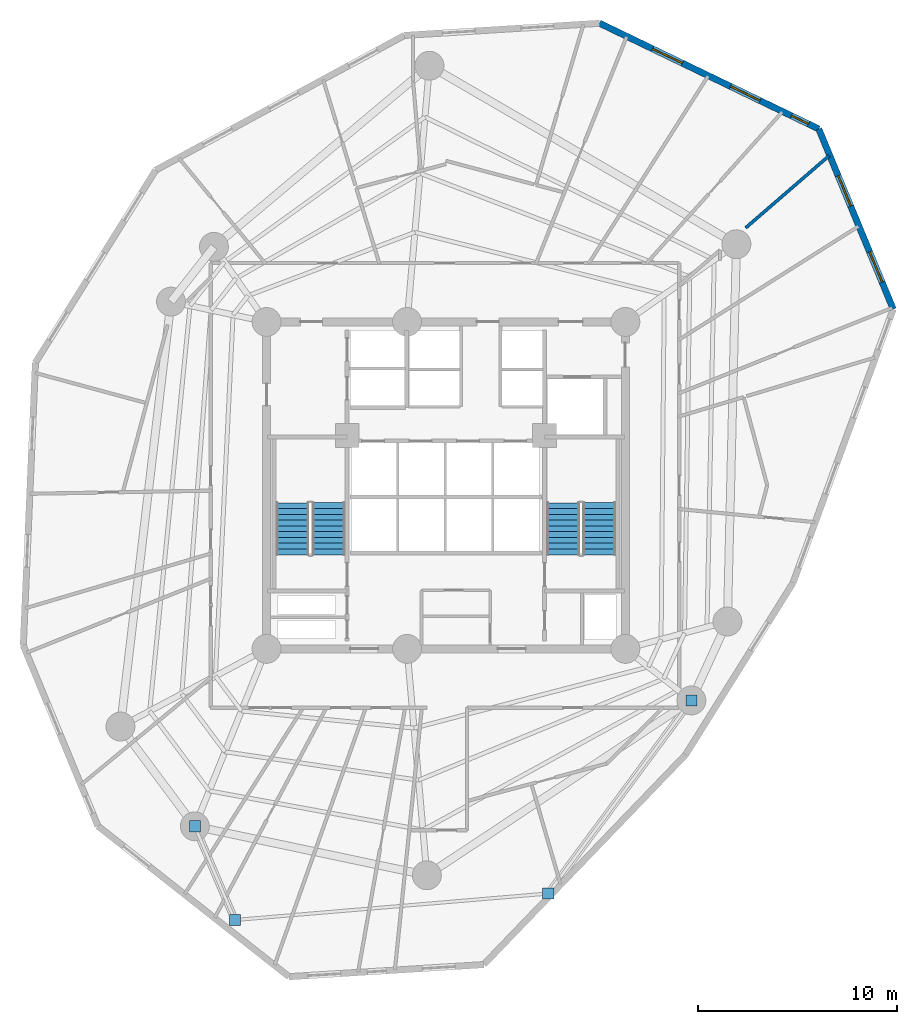
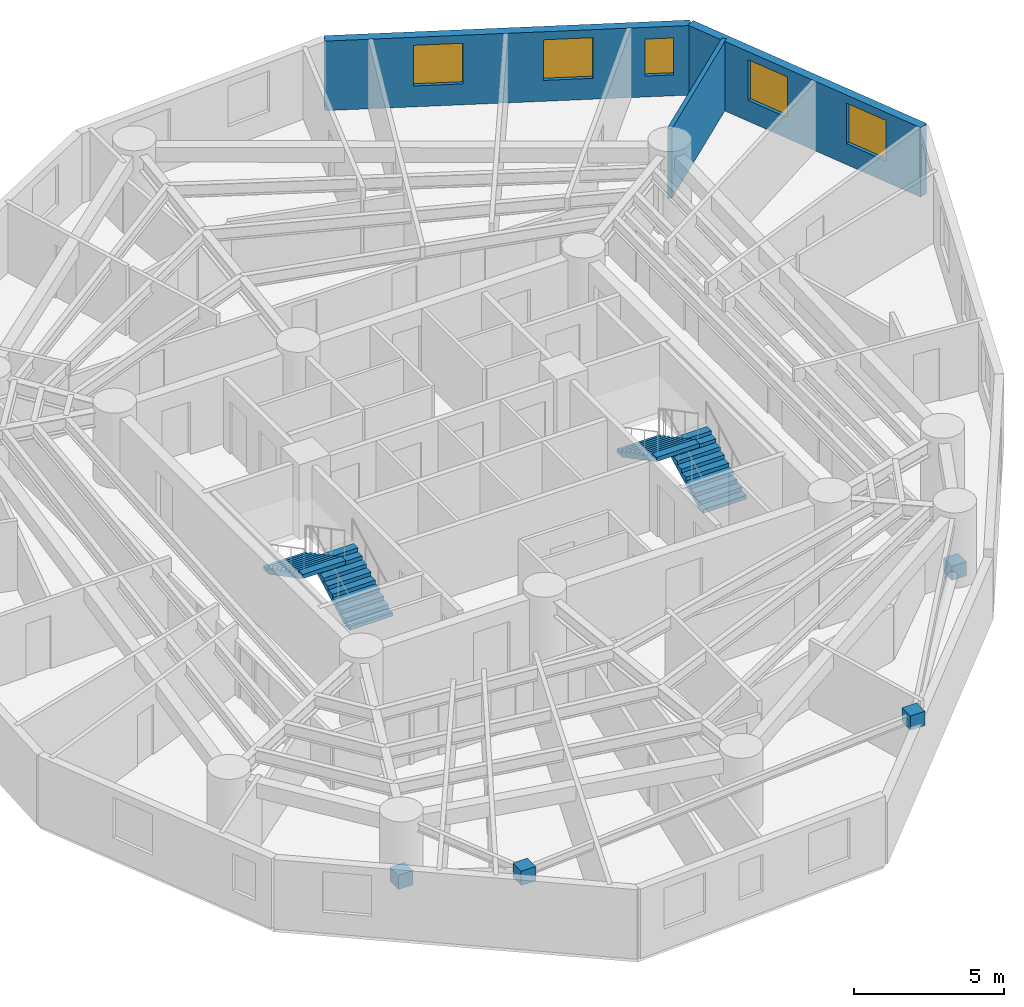
# One storey, part 7 of 8: 5 windows, 4 discrete accessories, 4 stair flights, 3 walls, 5 openings, 2 elements without a shape of their own.
"""IFC4 building model written with IfcOpenShell, lengths in metres."""

from ifc_helpers import new_model, si_unit, direction, frame, frame_2d, origin, origin_with_axes, origin_2d, place, context, subcontext, project, spatial, polyline, rectangle, outline, extrude, source, transform, mapped, material, layer, layer_set, type_object, element, fill, aggregate, save


model = new_model("IFC4")

# Units and contexts
model_context = context("Model", 3, precision=1e-05, world=origin(), true_north=direction((0.0, 1.0)))
body_context = subcontext(model_context, "Body", "Model", "MODEL_VIEW")
ifc_project = project(units=[si_unit("LENGTHUNIT", "METRE"), si_unit("AREAUNIT", "SQUARE_METRE"), si_unit("VOLUMEUNIT", "CUBIC_METRE"), si_unit("PLANEANGLEUNIT", "RADIAN"), si_unit("MASSUNIT", "GRAM", prefix="KILO")], contexts=[model_context])

# Site, building, storey
site_placement = place(None, origin())
site = spatial("IfcSite", under=ifc_project, at=site_placement, CompositionType="ELEMENT")
building_placement = place(site_placement, origin())
building = spatial("IfcBuilding", under=site, at=building_placement, Name="Karkom Vertical University and Central Library", CompositionType="ELEMENT")
storey_placement = place(building_placement, frame((0.0, 0.0, 108.39990234375)))
storey = spatial("IfcBuildingStorey", under=building, at=storey_placement, Name="L29", CompositionType="ELEMENT", Elevation=108.39990234375)

# Wall, openings, windows
ifc_material_1 = material(Name="Brick-faced precast concrete C45/55", Category="masonry")
ifc_layer_1 = layer(ifc_material_1, 0.320068359375)
ifc_layer_set_1 = layer_set([ifc_layer_1], Name="Brick-faced precast concrete C45/55")
wall_type_1 = type_object("IfcWallType", Name="ENV-WL-BRK-320", PredefinedType="SOLIDWALL", material=ifc_layer_set_1)
wall_1_placement = place(storey_placement, frame((50.939697265625, 35.337158203125, 0.0), z_axis=(0.0, 0.0, 1.0), x_axis=(-0.381729576022, 0.924274056106, 0.0)))
wall_1 = element("IfcWall", 1, at=wall_1_placement, inside=storey, type_object=wall_type_1, Name="Level 29 Brick-Faced Precast Facade Wall 09", PredefinedType="SOLIDWALL", context=body_context, shape_type="SweptSolid", body=[
    extrude(rectangle(XDim=9.785888671875, YDim=0.320068359375, at=frame_2d((4.89306640625, 0.0))), origin(), (0.0, 0.0, 1.0), 2.8251953125),
])
opening_1_placement = place(wall_1_placement, frame((1.46728515625, 0.0, 0.85009765625)))
opening_1 = element("IfcOpeningElement", 2, at=opening_1_placement, cuts=wall_1, Name="Opening WN-06", PredefinedType="OPENING", context=body_context, shape_type="SweptSolid", body=[
    extrude(rectangle(XDim=1.64990234375, YDim=1.64990234375, at=frame_2d((0.824951171875, 0.824951171875))), frame((0.0, 0.169921875, 0.0), z_axis=(0.0, -1.0, 0.0), x_axis=(1.0, 0.0, 0.0)), (0.0, 0.0, 1.0), 0.340087890625),
])
opening_2_placement = place(wall_1_placement, frame((5.5947265625, 0.0, 0.85009765625)))
opening_2 = element("IfcOpeningElement", 3, at=opening_2_placement, cuts=wall_1, Name="Opening WN-06", PredefinedType="OPENING", context=body_context, shape_type="SweptSolid", body=[
    extrude(rectangle(XDim=1.64990234375, YDim=1.64990234375, at=frame_2d((0.824951171875, 0.824951171875))), frame((0.0, 0.169921875, 0.0), z_axis=(0.0, -1.0, 0.0), x_axis=(1.0, 0.0, 0.0)), (0.0, 0.0, 1.0), 0.340087890625),
])
ifc_material_2 = material(Name="Aluminium thermal-break frame with solar-control IGU", Category="aluminium")
window_type_1 = type_object("IfcWindowType", Name="ENV-WIN-WN-06", PartitioningType="SINGLE_PANEL", PredefinedType="WINDOW", material=ifc_material_2)
shared_shape_1 = source(origin_with_axes(), body_context, "Body", "SweptSolid", [
    extrude(rectangle(XDim=1.64990234375, YDim=1.64990234375, at=frame_2d((0.824951171875, 0.824951171875))), frame((0.0, 0.030029296875, 0.0), z_axis=(0.0, -1.0, 0.0), x_axis=(1.0, 0.0, 0.0)), (0.0, 0.0, 1.0), 0.06005859375),
])
window_1_placement = place(opening_1_placement, origin())
window_1 = element("IfcWindow", 4, at=window_1_placement, inside=storey, type_object=window_type_1, Name="Level 29 Punched Window 9.1", OverallHeight=1.64990234375, OverallWidth=1.64990234375, PartitioningType="SINGLE_PANEL", PredefinedType="WINDOW", context=body_context, shape_type="MappedRepresentation", body=[
    mapped(shared_shape_1, transform((0.0, 0.0, 0.0), scale=1.0)),
])
fill(opening_1, window_1)
window_2_placement = place(opening_2_placement, origin())
window_2 = element("IfcWindow", 5, at=window_2_placement, inside=storey, type_object=window_type_1, Name="Level 29 Punched Window 9.2", OverallHeight=1.64990234375, OverallWidth=1.64990234375, PartitioningType="SINGLE_PANEL", PredefinedType="WINDOW", context=body_context, shape_type="MappedRepresentation", body=[
    mapped(shared_shape_1, transform((0.0, 0.0, 0.0), scale=1.0)),
])
fill(opening_2, window_2)

wall_2_placement = place(storey_placement, frame((47.2041015625, 44.382080078125, 0.0), z_axis=(0.0, 0.0, 1.0), x_axis=(-0.900763933079, 0.434309033826, 0.0)))
wall_2 = element("IfcWall", 6, at=wall_2_placement, inside=storey, type_object=wall_type_1, Name="Level 29 Brick-Faced Precast Facade Wall 10", PredefinedType="SOLIDWALL", context=body_context, shape_type="SweptSolid", body=[
    extrude(rectangle(XDim=12.21240234375, YDim=0.320068359375, at=frame_2d((6.106201171875, 0.0))), origin(), (0.0, 0.0, 1.0), 2.8251953125),
])
opening_3_placement = place(wall_2_placement, frame((0.5712890625, 0.0, 0.85009765625)))
opening_3 = element("IfcOpeningElement", 7, at=opening_3_placement, cuts=wall_2, Name="Opening WN-12", PredefinedType="OPENING", context=body_context, shape_type="SweptSolid", body=[
    extrude(rectangle(XDim=0.949951171875, YDim=1.5, at=frame_2d((0.47509765625, 0.75))), frame((0.0, 0.169921875, 0.0), z_axis=(0.0, -1.0, 0.0), x_axis=(1.0, 0.0, 0.0)), (0.0, 0.0, 1.0), 0.340087890625),
])
opening_4_placement = place(wall_2_placement, frame((3.2705078125, 0.0, 0.85009765625)))
opening_4 = element("IfcOpeningElement", 8, at=opening_4_placement, cuts=wall_2, Name="Opening WN-06", PredefinedType="OPENING", context=body_context, shape_type="SweptSolid", body=[
    extrude(rectangle(XDim=1.64990234375, YDim=1.64990234375, at=frame_2d((0.824951171875, 0.824951171875))), frame((0.0, 0.169921875, 0.0), z_axis=(0.0, -1.0, 0.0), x_axis=(1.0, 0.0, 0.0)), (0.0, 0.0, 1.0), 0.340087890625),
])
opening_5_placement = place(wall_2_placement, frame((7.598876953125, 0.0, 0.85009765625)))
opening_5 = element("IfcOpeningElement", 9, at=opening_5_placement, cuts=wall_2, Name="Opening WN-06", PredefinedType="OPENING", context=body_context, shape_type="SweptSolid", body=[
    extrude(rectangle(XDim=1.64990234375, YDim=1.64990234375, at=frame_2d((0.824951171875, 0.824951171875))), frame((0.0, 0.169921875, 0.0), z_axis=(0.0, -1.0, 0.0), x_axis=(1.0, 0.0, 0.0)), (0.0, 0.0, 1.0), 0.340087890625),
])
window_3_placement = place(opening_4_placement, origin())
window_3 = element("IfcWindow", 10, at=window_3_placement, inside=storey, type_object=window_type_1, Name="Level 29 Punched Window 10.2", OverallHeight=1.64990234375, OverallWidth=1.64990234375, PartitioningType="SINGLE_PANEL", PredefinedType="WINDOW", context=body_context, shape_type="MappedRepresentation", body=[
    mapped(shared_shape_1, transform((0.0, 0.0, 0.0), scale=1.0)),
])
fill(opening_4, window_3)
window_4_placement = place(opening_5_placement, origin())
window_4 = element("IfcWindow", 11, at=window_4_placement, inside=storey, type_object=window_type_1, Name="Level 29 Punched Window 10.3", OverallHeight=1.64990234375, OverallWidth=1.64990234375, PartitioningType="SINGLE_PANEL", PredefinedType="WINDOW", context=body_context, shape_type="MappedRepresentation", body=[
    mapped(shared_shape_1, transform((0.0, 0.0, 0.0), scale=1.0)),
])
fill(opening_5, window_4)
window_type_2 = type_object("IfcWindowType", Name="ENV-WIN-WN-12", PartitioningType="SINGLE_PANEL", PredefinedType="WINDOW", material=ifc_material_2)
shared_shape_2 = source(origin_with_axes(), body_context, "Body", "SweptSolid", [
    extrude(rectangle(XDim=0.949951171875, YDim=1.5, at=frame_2d((0.47509765625, 0.75))), frame((0.0, 0.030029296875, 0.0), z_axis=(0.0, -1.0, 0.0), x_axis=(1.0, 0.0, 0.0)), (0.0, 0.0, 1.0), 0.06005859375),
])
window_5_placement = place(opening_3_placement, origin())
window_5 = element("IfcWindow", 12, at=window_5_placement, inside=storey, type_object=window_type_2, Name="Level 29 Punched Window 10.1", OverallHeight=1.5, OverallWidth=0.949951171875, PartitioningType="SINGLE_PANEL", PredefinedType="WINDOW", context=body_context, shape_type="MappedRepresentation", body=[
    mapped(shared_shape_2, transform((0.0, 0.0, 0.0), scale=1.0)),
])
fill(opening_3, window_5)

# Wall
ifc_material_3 = material(Name="Insulated metal-stud drywall 160mm", Category="gypsum")
ifc_layer_2 = layer(ifc_material_3, 0.159912109375)
ifc_layer_set_2 = layer_set([ifc_layer_2], Name="Insulated metal-stud drywall 160mm")
wall_type_2 = type_object("IfcWallType", Name="INT-WL-COR-160", PredefinedType="PARTITIONING", material=ifc_layer_set_2)
wall_3_placement = place(storey_placement, frame((43.53662109375, 39.419921875, 0.0), z_axis=(0.0, 0.0, 1.0), x_axis=(0.756486934445, 0.654008805762, 0.0)))
element("IfcWall", 13, at=wall_3_placement, inside=storey, type_object=wall_type_2, Name="Level 29 Interior Partition Wall L29-PW-024", PredefinedType="PARTITIONING", context=body_context, shape_type="SweptSolid", body=[
    extrude(rectangle(XDim=5.5390625, YDim=0.159912109375, at=frame_2d((2.76953125, 0.0))), origin(), (0.0, 0.0, 1.0), 2.8251953125),
])

# Stair, stair flights
ifc_material_4 = material(Name="Concrete C45/55", Category="concrete")
stair_type = type_object("IfcStairType", Name="INT-STR-ST-MAIN", PredefinedType="HALF_TURN_STAIR", material=ifc_material_4)
stair_1_placement = place(storey_placement, origin())
stair_1 = element("IfcStair", 14, at=stair_1_placement, inside=storey, type_object=stair_type, Name="Level 29 Tower Protected Exit Stair ST-1", PredefinedType="HALF_TURN_STAIR")
stair_flight_type = type_object("IfcStairFlightType", Name="INT-SFL-ST-MAIN", PredefinedType="STRAIGHT", material=ifc_material_4)
stair_flight_1_placement = place(storey_placement, frame((22.614990234375, 23.02001953125, 0.0), z_axis=(0.0, 0.0, 1.0), x_axis=(0.0, 1.0, 0.0)))
stair_flight_1 = element("IfcStairFlight", 15, at=stair_flight_1_placement, type_object=stair_flight_type, Name="ST-1 flight 1", NumberOfRisers=10, NumberOfTreads=9, PredefinedType="STRAIGHT", RiserHeight=0.1525, TreadLength=0.29, context=body_context, shape_type="SweptSolid", body=[
    extrude(outline(polyline([(0.0, 0.0), (0.0, 0.152587890625), (0.2900390625, 0.152587890625), (0.2900390625, 0.304931640625), (0.580078125, 0.304931640625), (0.580078125, 0.45751953125), (0.8701171875, 0.45751953125), (0.8701171875, 0.610107421875), (1.159912109375, 0.610107421875), (1.159912109375, 0.762451171875), (1.449951171875, 0.762451171875), (1.449951171875, 0.9150390625), (1.739990234375, 0.9150390625), (1.739990234375, 1.0673828125), (2.030029296875, 1.0673828125), (2.030029296875, 1.219970703125), (2.320068359375, 1.219970703125), (2.320068359375, 1.37255859375), (2.610107421875, 1.37255859375), (2.610107421875, 1.52490234375), (2.610107421875, 1.203125), (0.322021484375, 0.0), (0.0, 0.0)])), frame((0.0, 0.824951171875, 0.0), z_axis=(0.0, -1.0, 0.0), x_axis=(1.0, 0.0, 0.0)), (0.0, 0.0, 1.0), 1.64990234375),
])
stair_flight_2_placement = place(storey_placement, frame((20.804931640625, 25.6298828125, 1.525146484375), z_axis=(0.0, 0.0, 1.0), x_axis=(0.0, -1.0, 0.0)))
stair_flight_2 = element("IfcStairFlight", 16, at=stair_flight_2_placement, type_object=stair_flight_type, Name="ST-1 flight 2", NumberOfRisers=10, NumberOfTreads=9, PredefinedType="STRAIGHT", RiserHeight=0.1525, TreadLength=0.29, context=body_context, shape_type="SweptSolid", body=[
    extrude(outline(polyline([(0.0, 0.0), (0.0, 0.152587890625), (0.2900390625, 0.152587890625), (0.2900390625, 0.304931640625), (0.580078125, 0.304931640625), (0.580078125, 0.45751953125), (0.8701171875, 0.45751953125), (0.8701171875, 0.610107421875), (1.159912109375, 0.610107421875), (1.159912109375, 0.762451171875), (1.449951171875, 0.762451171875), (1.449951171875, 0.9150390625), (1.739990234375, 0.9150390625), (1.739990234375, 1.0673828125), (2.030029296875, 1.0673828125), (2.030029296875, 1.219970703125), (2.320068359375, 1.219970703125), (2.320068359375, 1.37255859375), (2.610107421875, 1.37255859375), (2.610107421875, 1.52490234375), (2.610107421875, 1.203125), (0.322021484375, 0.0), (0.0, 0.0)])), frame((0.0, 0.824951171875, 0.0), z_axis=(0.0, -1.0, 0.0), x_axis=(1.0, 0.0, 0.0)), (0.0, 0.0, 1.0), 1.64990234375),
])
aggregate(stair_1, [stair_flight_1, stair_flight_2])

stair_2_placement = place(storey_placement, origin())
stair_2 = element("IfcStair", 17, at=stair_2_placement, inside=storey, type_object=stair_type, Name="Level 29 Tower Protected Exit Stair ST-2", PredefinedType="HALF_TURN_STAIR")
stair_flight_3_placement = place(storey_placement, frame((36.195068359375, 23.02001953125, 0.0), z_axis=(0.0, 0.0, 1.0), x_axis=(0.0, 1.0, 0.0)))
stair_flight_3 = element("IfcStairFlight", 18, at=stair_flight_3_placement, type_object=stair_flight_type, Name="ST-2 flight 1", NumberOfRisers=10, NumberOfTreads=9, PredefinedType="STRAIGHT", RiserHeight=0.1525, TreadLength=0.29, context=body_context, shape_type="SweptSolid", body=[
    extrude(outline(polyline([(0.0, 0.0), (0.0, 0.152587890625), (0.2900390625, 0.152587890625), (0.2900390625, 0.304931640625), (0.580078125, 0.304931640625), (0.580078125, 0.45751953125), (0.8701171875, 0.45751953125), (0.8701171875, 0.610107421875), (1.159912109375, 0.610107421875), (1.159912109375, 0.762451171875), (1.449951171875, 0.762451171875), (1.449951171875, 0.9150390625), (1.739990234375, 0.9150390625), (1.739990234375, 1.0673828125), (2.030029296875, 1.0673828125), (2.030029296875, 1.219970703125), (2.320068359375, 1.219970703125), (2.320068359375, 1.37255859375), (2.610107421875, 1.37255859375), (2.610107421875, 1.52490234375), (2.610107421875, 1.203125), (0.322021484375, 0.0), (0.0, 0.0)])), frame((0.0, 0.824951171875, 0.0), z_axis=(0.0, -1.0, 0.0), x_axis=(1.0, 0.0, 0.0)), (0.0, 0.0, 1.0), 1.64990234375),
])
stair_flight_4_placement = place(storey_placement, frame((34.385009765625, 25.6298828125, 1.525146484375), z_axis=(0.0, 0.0, 1.0), x_axis=(0.0, -1.0, 0.0)))
stair_flight_4 = element("IfcStairFlight", 19, at=stair_flight_4_placement, type_object=stair_flight_type, Name="ST-2 flight 2", NumberOfRisers=10, NumberOfTreads=9, PredefinedType="STRAIGHT", RiserHeight=0.1525, TreadLength=0.29, context=body_context, shape_type="SweptSolid", body=[
    extrude(outline(polyline([(0.0, 0.0), (0.0, 0.152587890625), (0.2900390625, 0.152587890625), (0.2900390625, 0.304931640625), (0.580078125, 0.304931640625), (0.580078125, 0.45751953125), (0.8701171875, 0.45751953125), (0.8701171875, 0.610107421875), (1.159912109375, 0.610107421875), (1.159912109375, 0.762451171875), (1.449951171875, 0.762451171875), (1.449951171875, 0.9150390625), (1.739990234375, 0.9150390625), (1.739990234375, 1.0673828125), (2.030029296875, 1.0673828125), (2.030029296875, 1.219970703125), (2.320068359375, 1.219970703125), (2.320068359375, 1.37255859375), (2.610107421875, 1.37255859375), (2.610107421875, 1.52490234375), (2.610107421875, 1.203125), (0.322021484375, 0.0), (0.0, 0.0)])), frame((0.0, 0.824951171875, 0.0), z_axis=(0.0, -1.0, 0.0), x_axis=(1.0, 0.0, 0.0)), (0.0, 0.0, 1.0), 1.64990234375),
])
aggregate(stair_2, [stair_flight_3, stair_flight_4])

# Discrete accessories
ifc_material_5 = material(Name="Ductile cast iron EN-GJS-400-15", Category="metal")
discrete_accessory_type = type_object("IfcDiscreteAccessoryType", Name="STR-ACC-NODECAP", PredefinedType="BRACKET", material=ifc_material_5)
shared_shape_3 = source(origin_with_axes(), body_context, "Body", "SweptSolid", [
    extrude(rectangle(XDim=0.56005859375, YDim=0.56005859375, at=origin_2d()), origin(), (0.0, 0.0, 1.0), 0.580078125),
])
for number, where, z_axis, x_axis, name in (
    (20, (15.904052734375, 9.39892578125, 0.06005859375), (0.0, 0.0, 1.0), (1.0, 0.0, 0.0), "Level 29 Cast Node Connector L29-SKG-KNEE-1 A"),
    (21, (17.912353515625, 4.699951171875, 2.3701171875), (0.0, 0.0, 1.0), (1.0, 0.0, 0.0), "Level 29 Cast Node Connector L29-SKG-KNEE-1 B"),
    (22, (40.81005859375, 15.714111328125, 0.06005859375), (0.0, 0.0, 1.0), (1.0, 0.0, 0.0), "Level 29 Cast Node Connector L29-SKG-KNEE-2 A"),
    (23, (33.62939453125, 6.027587890625, 2.3701171875), (0.0, 0.0, 1.0), (1.0, 0.0, 0.0), "Level 29 Cast Node Connector L29-SKG-KNEE-2 B"),
):
    element("IfcDiscreteAccessory", number, at=place(storey_placement, frame(where, z_axis=z_axis, x_axis=x_axis)), inside=storey, type_object=discrete_accessory_type, Name=name, PredefinedType="BRACKET", context=body_context, shape_type="MappedRepresentation", body=[
        mapped(shared_shape_3, transform((0.0, 0.0, 0.0), scale=1.0)),
    ])

save(model, "model.ifc")
